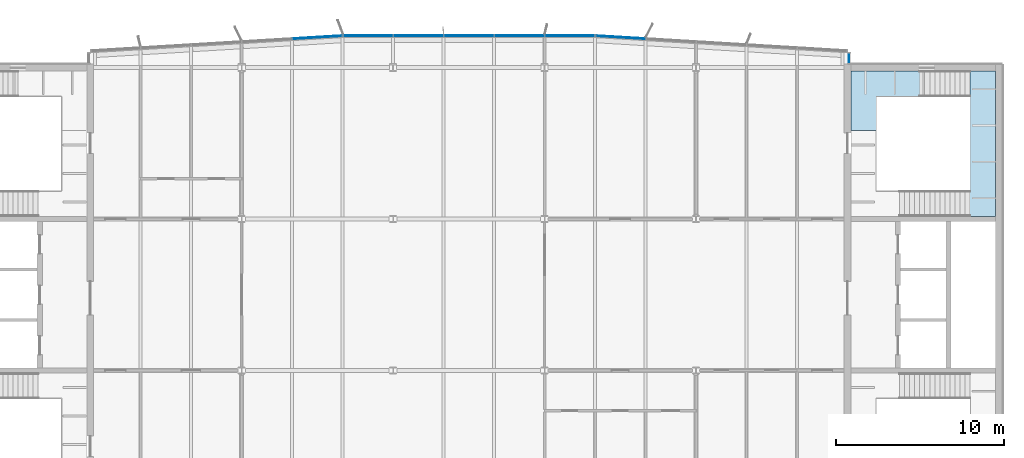
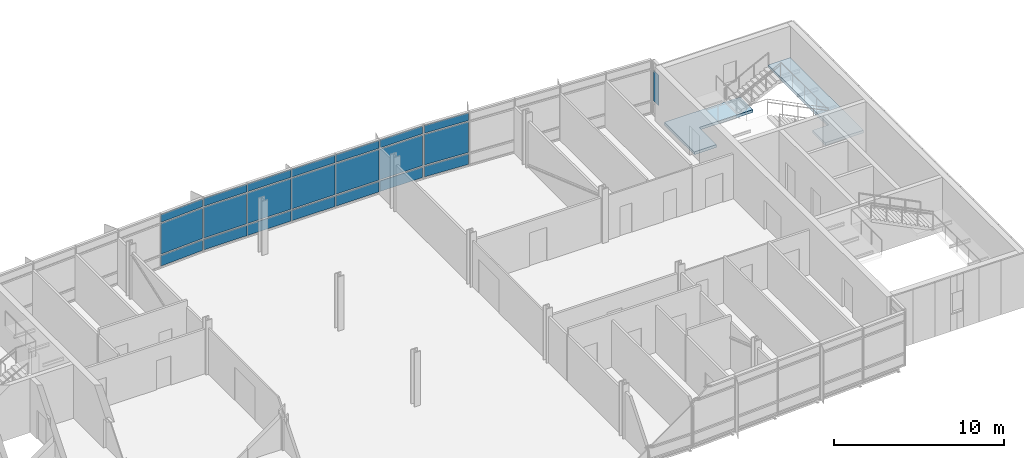
# One storey, part 13 of 21: 22 plates, 2 slabs, 5 elements without a shape of their own.
"""IFC4 building model written with IfcOpenShell, lengths in metres."""

from ifc_helpers import new_model, si_unit, direction, frame, origin, origin_2d, place, context, subcontext, project, spatial, polyline, rectangle, outline, extrude, material, layer, layer_set, type_object, element, aggregate, save


model = new_model("IFC4")

# Units and contexts
model_context = context("Model", 3, precision=1e-05, world=origin(), true_north=direction((0.0, 1.0)))
body_context = subcontext(model_context, "Body", "Model", "MODEL_VIEW")
ifc_project = project(units=[si_unit("LENGTHUNIT", "METRE"), si_unit("AREAUNIT", "SQUARE_METRE"), si_unit("VOLUMEUNIT", "CUBIC_METRE"), si_unit("PLANEANGLEUNIT", "RADIAN"), si_unit("MASSUNIT", "GRAM", prefix="KILO")], contexts=[model_context])

# Site, building, storey
site_placement = place(None, origin())
site = spatial("IfcSite", under=ifc_project, at=site_placement, CompositionType="ELEMENT")
building_placement = place(site_placement, origin())
building = spatial("IfcBuilding", under=site, at=building_placement, Name="Azimuth Sports and Learning Centre", CompositionType="ELEMENT")
storey_placement = place(building_placement, frame((0.0, 0.0, 32.39990234375)))
storey = spatial("IfcBuildingStorey", under=building, at=storey_placement, Name="L06", CompositionType="ELEMENT", Elevation=32.39990234375)

# Stair, slabs
ifc_material_1 = material(Name="Concrete C32/40", Category="concrete")
stair_type = type_object("IfcStairType", Name="Square-well stair core 3900 storey", PredefinedType="THREE_QUARTER_TURN_STAIR", material=ifc_material_1)
stair_placement = place(storey_placement, origin())
stair = element("IfcStair", 1, at=stair_placement, inside=storey, type_object=stair_type, Name="Stair E2 L06-L07", PredefinedType="THREE_QUARTER_TURN_STAIR")
ifc_material_2 = material(Name="Concrete C32/40", Category="concrete")
ifc_layer_1 = layer(ifc_material_2, 0.199951171875)
ifc_layer_set_1 = layer_set([ifc_layer_1], Name="Concrete C32/40")
slab_type = type_object("IfcSlabType", Name="Concrete stair landing", PredefinedType="LANDING", material=ifc_layer_set_1)
slab_1_placement = place(storey_placement, frame((0.0, 0.0, -0.199951171875)))
slab_1 = element("IfcSlab", 2, at=slab_1_placement, type_object=slab_type, Name="Stair E2 L06 landing 1", PredefinedType="LANDING", context=body_context, shape_type="SweptSolid", body=[
    extrude(outline(polyline([(108.2099609375, 116.7900390625), (108.2099609375, 113.25), (109.7099609375, 113.25), (109.7099609375, 115.2900390625), (113.389892578125, 115.2900390625), (113.389892578125, 116.7900390625), (108.2099609375, 116.7900390625)])), origin(), (0.0, 0.0, 1.0), 0.199951171875),
])
slab_2_placement = place(storey_placement, frame((0.0, 0.0, 1.4501953125)))
slab_2 = element("IfcSlab", 3, at=slab_2_placement, type_object=slab_type, Name="Stair E2 L06 landing 2", PredefinedType="LANDING", context=body_context, shape_type="SweptSolid", body=[
    extrude(outline(polyline([(115.2900390625, 115.2900390625), (115.2900390625, 109.659912109375), (114.18994140625, 109.659912109375), (114.18994140625, 108.159912109375), (116.7900390625, 108.159912109375), (116.7900390625, 116.7900390625), (115.289306640625, 116.7900390625), (115.289306640625, 115.2900390625), (115.2900390625, 115.2900390625)])), origin(), (0.0, 0.0, 1.0), 0.199951171875),
])
aggregate(stair, [slab_1, slab_2])

# Curtain wall, plates
ifc_material_3 = material(Name="Aluminium and glass", Category="aluminium")
curtain_wall_type_1 = type_object("IfcCurtainWallType", Name="Curtain wall tower north 180", PredefinedType="NOTDEFINED", material=ifc_material_3)
curtain_wall_1_placement = place(storey_placement, origin())
curtain_wall_1 = element("IfcCurtainWall", 4, at=curtain_wall_1_placement, inside=storey, type_object=curtain_wall_type_1, Name="Curtain wall CW06-007", PredefinedType="NOTDEFINED")
ifc_material_4 = material(Name="Insulated aluminium panel", Category="aluminium")
ifc_layer_2 = layer(ifc_material_4, 0.050048828125)
ifc_layer_set_2 = layer_set([ifc_layer_2], Name="Insulated aluminium panel")
plate_type_1 = type_object("IfcPlateType", Name="Spandrel panel 50 mm", PredefinedType="CURTAIN_PANEL", material=ifc_layer_set_2)
plate_1_placement = place(storey_placement, frame((94.520263671875, 118.798828125, 0.10009765625), z_axis=(0.0, 0.0, 1.0), x_axis=(-0.998204863401, 0.059891991812, 0.0)))
plate_1 = element("IfcPlate", 5, at=plate_1_placement, type_object=plate_type_1, Name="CW06-007 panel 5.1", PredefinedType="CURTAIN_PANEL", context=body_context, shape_type="SweptSolid", body=[
    extrude(rectangle(XDim=2.915283203125, YDim=0.050048828125, at=origin_2d()), origin(), (0.0, 0.0, 1.0), 0.75),
])
plate_2_placement = place(storey_placement, frame((94.520263671875, 118.798828125, 3.25), z_axis=(0.0, 0.0, 1.0), x_axis=(-0.998204863401, 0.059891991812, 0.0)))
plate_2 = element("IfcPlate", 6, at=plate_2_placement, type_object=plate_type_1, Name="CW06-007 panel 5.3", PredefinedType="CURTAIN_PANEL", context=body_context, shape_type="SweptSolid", body=[
    extrude(rectangle(XDim=2.915283203125, YDim=0.050048828125, at=origin_2d()), origin(), (0.0, 0.0, 1.0), 0.550048828125),
])

curtain_wall_2_placement = place(storey_placement, origin())
curtain_wall_2 = element("IfcCurtainWall", 7, at=curtain_wall_2_placement, inside=storey, type_object=curtain_wall_type_1, Name="Curtain wall CW06-008", PredefinedType="NOTDEFINED")
plate_3_placement = place(storey_placement, frame((91.48779296875, 118.889892578125, 0.10009765625), z_axis=(0.0, 0.0, 1.0), x_axis=(-1.0, 0.0, 0.0)))
plate_3 = element("IfcPlate", 8, at=plate_3_placement, type_object=plate_type_1, Name="CW06-008 panel 1.1", PredefinedType="CURTAIN_PANEL", context=body_context, shape_type="SweptSolid", body=[
    extrude(rectangle(XDim=2.915283203125, YDim=0.050048828125, at=origin_2d()), origin(), (0.0, 0.0, 1.0), 0.75),
])
plate_4_placement = place(storey_placement, frame((91.48779296875, 118.889892578125, 3.25), z_axis=(0.0, 0.0, 1.0), x_axis=(-1.0, 0.0, 0.0)))
plate_4 = element("IfcPlate", 9, at=plate_4_placement, type_object=plate_type_1, Name="CW06-008 panel 1.3", PredefinedType="CURTAIN_PANEL", context=body_context, shape_type="SweptSolid", body=[
    extrude(rectangle(XDim=2.915283203125, YDim=0.050048828125, at=origin_2d()), origin(), (0.0, 0.0, 1.0), 0.550048828125),
])
plate_5_placement = place(storey_placement, frame((88.5, 118.889892578125, 0.10009765625), z_axis=(0.0, 0.0, 1.0), x_axis=(-1.0, 0.0, 0.0)))
plate_5 = element("IfcPlate", 10, at=plate_5_placement, type_object=plate_type_1, Name="CW06-008 panel 2.1", PredefinedType="CURTAIN_PANEL", context=body_context, shape_type="SweptSolid", body=[
    extrude(rectangle(XDim=2.93994140625, YDim=0.050048828125, at=origin_2d()), origin(), (0.0, 0.0, 1.0), 0.75),
])
plate_6_placement = place(storey_placement, frame((88.5, 118.889892578125, 3.25), z_axis=(0.0, 0.0, 1.0), x_axis=(-1.0, 0.0, 0.0)))
plate_6 = element("IfcPlate", 11, at=plate_6_placement, type_object=plate_type_1, Name="CW06-008 panel 2.3", PredefinedType="CURTAIN_PANEL", context=body_context, shape_type="SweptSolid", body=[
    extrude(rectangle(XDim=2.93994140625, YDim=0.050048828125, at=origin_2d()), origin(), (0.0, 0.0, 1.0), 0.550048828125),
])
plate_7_placement = place(storey_placement, frame((85.5, 118.889892578125, 0.10009765625), z_axis=(0.0, 0.0, 1.0), x_axis=(-1.0, 0.0, 0.0)))
plate_7 = element("IfcPlate", 12, at=plate_7_placement, type_object=plate_type_1, Name="CW06-008 panel 3.1", PredefinedType="CURTAIN_PANEL", context=body_context, shape_type="SweptSolid", body=[
    extrude(rectangle(XDim=2.93994140625, YDim=0.050048828125, at=origin_2d()), origin(), (0.0, 0.0, 1.0), 0.75),
])
plate_8_placement = place(storey_placement, frame((85.5, 118.889892578125, 3.25), z_axis=(0.0, 0.0, 1.0), x_axis=(-1.0, 0.0, 0.0)))
plate_8 = element("IfcPlate", 13, at=plate_8_placement, type_object=plate_type_1, Name="CW06-008 panel 3.3", PredefinedType="CURTAIN_PANEL", context=body_context, shape_type="SweptSolid", body=[
    extrude(rectangle(XDim=2.93994140625, YDim=0.050048828125, at=origin_2d()), origin(), (0.0, 0.0, 1.0), 0.550048828125),
])
plate_9_placement = place(storey_placement, frame((82.5, 118.889892578125, 0.10009765625), z_axis=(0.0, 0.0, 1.0), x_axis=(-1.0, 0.0, 0.0)))
plate_9 = element("IfcPlate", 14, at=plate_9_placement, type_object=plate_type_1, Name="CW06-008 panel 4.1", PredefinedType="CURTAIN_PANEL", context=body_context, shape_type="SweptSolid", body=[
    extrude(rectangle(XDim=2.93994140625, YDim=0.050048828125, at=origin_2d()), origin(), (0.0, 0.0, 1.0), 0.75),
])
plate_10_placement = place(storey_placement, frame((82.5, 118.889892578125, 3.25), z_axis=(0.0, 0.0, 1.0), x_axis=(-1.0, 0.0, 0.0)))
plate_10 = element("IfcPlate", 15, at=plate_10_placement, type_object=plate_type_1, Name="CW06-008 panel 4.3", PredefinedType="CURTAIN_PANEL", context=body_context, shape_type="SweptSolid", body=[
    extrude(rectangle(XDim=2.93994140625, YDim=0.050048828125, at=origin_2d()), origin(), (0.0, 0.0, 1.0), 0.550048828125),
])
plate_11_placement = place(storey_placement, frame((79.514892578125, 118.889892578125, 0.10009765625), z_axis=(0.0, 0.0, 1.0), x_axis=(-1.0, 0.0, 0.0)))
plate_11 = element("IfcPlate", 16, at=plate_11_placement, type_object=plate_type_1, Name="CW06-008 panel 5.1", PredefinedType="CURTAIN_PANEL", context=body_context, shape_type="SweptSolid", body=[
    extrude(rectangle(XDim=2.909912109375, YDim=0.050048828125, at=origin_2d()), origin(), (0.0, 0.0, 1.0), 0.75),
])
plate_12_placement = place(storey_placement, frame((79.514892578125, 118.889892578125, 3.25), z_axis=(0.0, 0.0, 1.0), x_axis=(-1.0, 0.0, 0.0)))
plate_12 = element("IfcPlate", 17, at=plate_12_placement, type_object=plate_type_1, Name="CW06-008 panel 5.3", PredefinedType="CURTAIN_PANEL", context=body_context, shape_type="SweptSolid", body=[
    extrude(rectangle(XDim=2.909912109375, YDim=0.050048828125, at=origin_2d()), origin(), (0.0, 0.0, 1.0), 0.550048828125),
])

curtain_wall_3_placement = place(storey_placement, origin())
curtain_wall_3 = element("IfcCurtainWall", 18, at=curtain_wall_3_placement, inside=storey, type_object=curtain_wall_type_1, Name="Curtain wall CW06-009", PredefinedType="NOTDEFINED")
plate_13_placement = place(storey_placement, frame((76.482421875, 118.799072265625, 0.10009765625), z_axis=(0.0, 0.0, 1.0), x_axis=(-0.998204863401, -0.059891991812, 0.0)))
plate_13 = element("IfcPlate", 19, at=plate_13_placement, type_object=plate_type_1, Name="CW06-009 panel 1.1", PredefinedType="CURTAIN_PANEL", context=body_context, shape_type="SweptSolid", body=[
    extrude(rectangle(XDim=2.9208984375, YDim=0.050048828125, at=origin_2d()), origin(), (0.0, 0.0, 1.0), 0.75),
])
plate_14_placement = place(storey_placement, frame((76.482421875, 118.799072265625, 3.25), z_axis=(0.0, 0.0, 1.0), x_axis=(-0.998204863401, -0.059891991812, 0.0)))
plate_14 = element("IfcPlate", 20, at=plate_14_placement, type_object=plate_type_1, Name="CW06-009 panel 1.3", PredefinedType="CURTAIN_PANEL", context=body_context, shape_type="SweptSolid", body=[
    extrude(rectangle(XDim=2.9208984375, YDim=0.050048828125, at=origin_2d()), origin(), (0.0, 0.0, 1.0), 0.550048828125),
])

# Curtain wall, plate
ifc_material_5 = material(Name="Aluminium and glass", Category="aluminium")
curtain_wall_type_2 = type_object("IfcCurtainWallType", Name="Curtain wall tower return 180", PredefinedType="NOTDEFINED", material=ifc_material_5)
curtain_wall_4_placement = place(storey_placement, origin())
curtain_wall_4 = element("IfcCurtainWall", 21, at=curtain_wall_4_placement, inside=storey, type_object=curtain_wall_type_2, Name="Curtain wall CW06-006", PredefinedType="NOTDEFINED")
ifc_material_6 = material(Name="Glass", Category="glass")
ifc_layer_3 = layer(ifc_material_6, 0.031982421875)
ifc_layer_set_3 = layer_set([ifc_layer_3], Name="Glass")
plate_type_2 = type_object("IfcPlateType", Name="Vision glass 32 mm", PredefinedType="CURTAIN_PANEL", material=ifc_layer_set_3)
plate_15_placement = place(storey_placement, frame((108.090087890625, 117.550048828125, 0.9501953125), z_axis=(0.0, 0.0, 1.0), x_axis=(0.0, 1.0, 0.0)))
plate_15 = element("IfcPlate", 22, at=plate_15_placement, type_object=plate_type_2, Name="CW06-006 panel 1.2", PredefinedType="CURTAIN_PANEL", context=body_context, shape_type="SweptSolid", body=[
    extrude(rectangle(XDim=0.580078125, YDim=0.031982421875, at=origin_2d()), origin(), (0.0, 0.0, 1.0), 2.199951171875),
])
aggregate(curtain_wall_4, [plate_15])

# Plate
plate_16_placement = place(storey_placement, frame((94.520263671875, 118.798828125, 0.9501953125), z_axis=(0.0, 0.0, 1.0), x_axis=(-0.998204863401, 0.059891991812, 0.0)))
plate_16 = element("IfcPlate", 23, at=plate_16_placement, type_object=plate_type_2, Name="CW06-007 panel 5.2", PredefinedType="CURTAIN_PANEL", context=body_context, shape_type="SweptSolid", body=[
    extrude(rectangle(XDim=2.915283203125, YDim=0.031982421875, at=origin_2d()), origin(), (0.0, 0.0, 1.0), 2.199951171875),
])

aggregate(curtain_wall_1, [plate_1, plate_16, plate_2])

plate_17_placement = place(storey_placement, frame((91.48779296875, 118.889892578125, 0.9501953125), z_axis=(0.0, 0.0, 1.0), x_axis=(-1.0, 0.0, 0.0)))
plate_17 = element("IfcPlate", 24, at=plate_17_placement, type_object=plate_type_2, Name="CW06-008 panel 1.2", PredefinedType="CURTAIN_PANEL", context=body_context, shape_type="SweptSolid", body=[
    extrude(rectangle(XDim=2.915283203125, YDim=0.031982421875, at=origin_2d()), origin(), (0.0, 0.0, 1.0), 2.199951171875),
])

plate_18_placement = place(storey_placement, frame((88.5, 118.889892578125, 0.9501953125), z_axis=(0.0, 0.0, 1.0), x_axis=(-1.0, 0.0, 0.0)))
plate_18 = element("IfcPlate", 25, at=plate_18_placement, type_object=plate_type_2, Name="CW06-008 panel 2.2", PredefinedType="CURTAIN_PANEL", context=body_context, shape_type="SweptSolid", body=[
    extrude(rectangle(XDim=2.93994140625, YDim=0.031982421875, at=origin_2d()), origin(), (0.0, 0.0, 1.0), 2.199951171875),
])

plate_19_placement = place(storey_placement, frame((85.5, 118.889892578125, 0.9501953125), z_axis=(0.0, 0.0, 1.0), x_axis=(-1.0, 0.0, 0.0)))
plate_19 = element("IfcPlate", 26, at=plate_19_placement, type_object=plate_type_2, Name="CW06-008 panel 3.2", PredefinedType="CURTAIN_PANEL", context=body_context, shape_type="SweptSolid", body=[
    extrude(rectangle(XDim=2.93994140625, YDim=0.031982421875, at=origin_2d()), origin(), (0.0, 0.0, 1.0), 2.199951171875),
])

plate_20_placement = place(storey_placement, frame((82.5, 118.889892578125, 0.9501953125), z_axis=(0.0, 0.0, 1.0), x_axis=(-1.0, 0.0, 0.0)))
plate_20 = element("IfcPlate", 27, at=plate_20_placement, type_object=plate_type_2, Name="CW06-008 panel 4.2", PredefinedType="CURTAIN_PANEL", context=body_context, shape_type="SweptSolid", body=[
    extrude(rectangle(XDim=2.93994140625, YDim=0.031982421875, at=origin_2d()), origin(), (0.0, 0.0, 1.0), 2.199951171875),
])

plate_21_placement = place(storey_placement, frame((79.514892578125, 118.889892578125, 0.9501953125), z_axis=(0.0, 0.0, 1.0), x_axis=(-1.0, 0.0, 0.0)))
plate_21 = element("IfcPlate", 28, at=plate_21_placement, type_object=plate_type_2, Name="CW06-008 panel 5.2", PredefinedType="CURTAIN_PANEL", context=body_context, shape_type="SweptSolid", body=[
    extrude(rectangle(XDim=2.909912109375, YDim=0.031982421875, at=origin_2d()), origin(), (0.0, 0.0, 1.0), 2.199951171875),
])

aggregate(curtain_wall_2, [plate_3, plate_17, plate_4, plate_5, plate_18, plate_6, plate_7, plate_19, plate_8, plate_9, plate_20, plate_10, plate_11, plate_21, plate_12])

plate_22_placement = place(storey_placement, frame((76.482421875, 118.799072265625, 0.9501953125), z_axis=(0.0, 0.0, 1.0), x_axis=(-0.998204863401, -0.059891991812, 0.0)))
plate_22 = element("IfcPlate", 29, at=plate_22_placement, type_object=plate_type_2, Name="CW06-009 panel 1.2", PredefinedType="CURTAIN_PANEL", context=body_context, shape_type="SweptSolid", body=[
    extrude(rectangle(XDim=2.9208984375, YDim=0.031982421875, at=origin_2d()), origin(), (0.0, 0.0, 1.0), 2.199951171875),
])

aggregate(curtain_wall_3, [plate_13, plate_22, plate_14])

save(model, "model.ifc")
